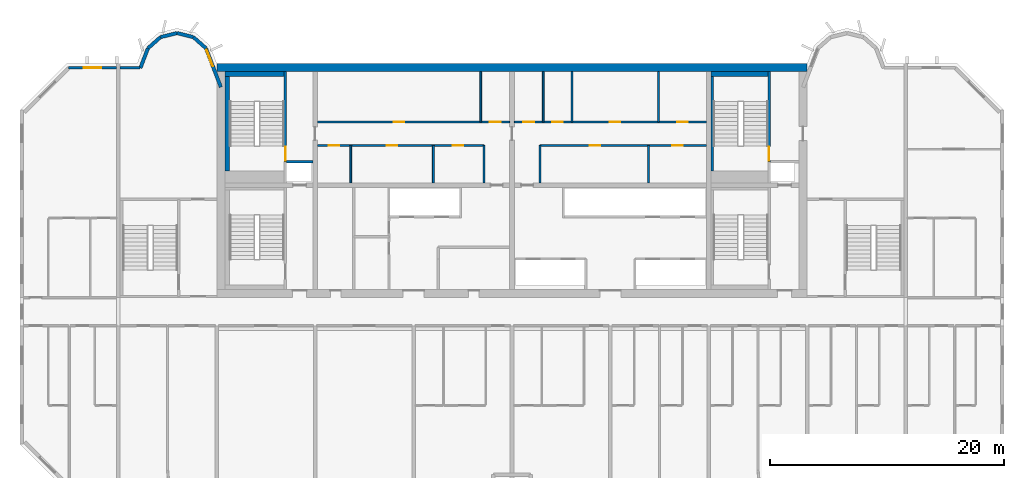
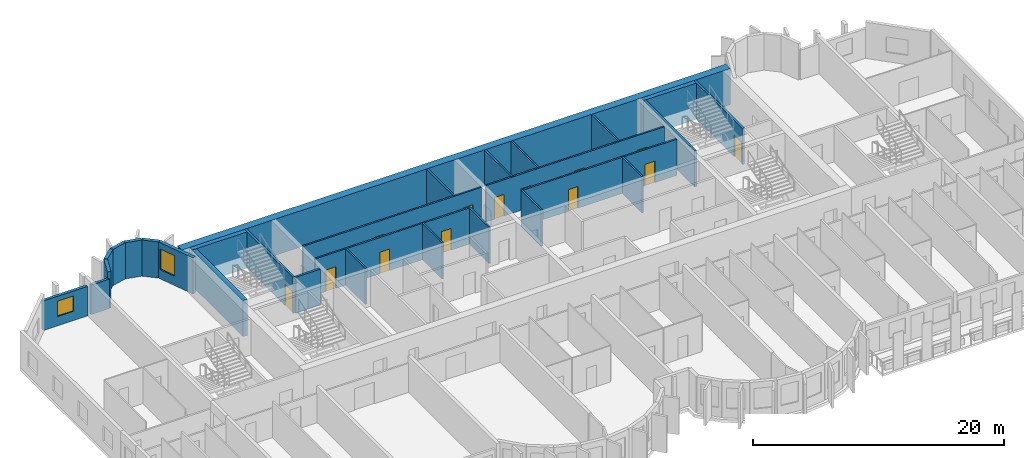
# One storey, part 7 of 13: 29 walls, 13 doors, 2 windows, 15 openings.
"""IFC4 building model written with IfcOpenShell, lengths in metres."""

import ifcopenshell
import ifcopenshell.guid

model = None  # the IFC model being written
_history = None  # IfcOwnerHistory: only IFC2X3 demands one
_inside = {}  # id of a spatial element -> (the spatial element, [elements in it])
_under = {}  # id of a project, library or spatial element -> (it, [spatial elements below it])
_declared = {}  # id of a project -> (the project, [libraries it declares])
_typed = {}  # id of a type object -> (the type object, [elements of that type])
_made_of = {}  # id of a material, layer set ... -> (it, [elements and type objects made of it])


def new_model(schema):
    """Start an empty IFC model of exactly this schema.

    Asked for "IFC4X3", IfcOpenShell would pick the latest addendum, in which some entities
    have other attributes; the version numbers below select the first issue.
    IFC2X3 requires an IfcOwnerHistory on every rooted entity: one is made here for all.
    """
    global model, _history
    if schema == "IFC4X3":
        model = ifcopenshell.file(schema_version=(4, 3, 0, 0))
    else:
        model = ifcopenshell.file(schema=schema)
    _inside.clear()
    _under.clear()
    _declared.clear()
    _typed.clear()
    _made_of.clear()
    _history = None
    if model.schema == "IFC2X3":
        org = make("IfcOrganization", Name="unknown")
        user = make(
            "IfcPersonAndOrganization",
            ThePerson=make("IfcPerson", FamilyName="unknown"),
            TheOrganization=org,
        )
        app = make(
            "IfcApplication",
            ApplicationDeveloper=org,
            Version="unknown",
            ApplicationFullName="unknown",
            ApplicationIdentifier="unknown",
        )
        _history = make(
            "IfcOwnerHistory",
            OwningUser=user,
            OwningApplication=app,
            ChangeAction="ADDED",
            CreationDate=0,
        )
    return model


def make(cls, **values):
    """One entity of the class cls with the attributes given. An attribute that is None is left unset."""
    return model.create_entity(
        cls, **{name: value for name, value in values.items() if value is not None}
    )


def rooted(cls, **values):
    """An entity with a GlobalId (a new one), such as an element, a storey or a relation."""
    return make(cls, GlobalId=ifcopenshell.guid.new(), OwnerHistory=_history, **values)


def si_unit(unit_type, name, prefix=None):
    """IfcSIUnit, for example si_unit("LENGTHUNIT", "METRE", prefix="MILLI")."""
    return make("IfcSIUnit", UnitType=unit_type, Prefix=prefix, Name=name)


def assignment(units):
    """IfcUnitAssignment: the units of a project."""
    return None if units is None else make("IfcUnitAssignment", Units=units)


def point(xyz):
    """IfcCartesianPoint."""
    return None if xyz is None else make("IfcCartesianPoint", Coordinates=xyz)


def direction(xyz):
    """IfcDirection."""
    return None if xyz is None else make("IfcDirection", DirectionRatios=xyz)


def frame(location, z_axis=None, x_axis=None):
    """IfcAxis2Placement3D, a coordinate frame: its origin and axes. An axis left out is left unset."""
    return make(
        "IfcAxis2Placement3D",
        Location=point(location),
        Axis=direction(z_axis),
        RefDirection=direction(x_axis),
    )


def frame_2d(location, x_axis=None):
    """IfcAxis2Placement2D, a coordinate frame in the plane: its origin and x axis."""
    return make(
        "IfcAxis2Placement2D", Location=point(location), RefDirection=direction(x_axis)
    )


def origin():
    """The frame at (0, 0, 0) with its axes left unset."""
    return frame((0.0, 0.0, 0.0))


def place(relative_to, where):
    """IfcLocalPlacement: puts the frame where relative to a parent placement (None: the world)."""
    return make(
        "IfcLocalPlacement", PlacementRelTo=relative_to, RelativePlacement=where
    )


def context(
    kind, dimensions, precision=None, world=None, true_north=None, identifier=None
):
    """IfcGeometricRepresentationContext, for example the 3D "Model" context."""
    return make(
        "IfcGeometricRepresentationContext",
        ContextIdentifier=identifier,
        ContextType=kind,
        CoordinateSpaceDimension=dimensions,
        Precision=precision,
        WorldCoordinateSystem=world,
        TrueNorth=true_north,
    )


def subcontext(parent, identifier, kind, view, scale=None):
    """IfcGeometricRepresentationSubContext, for example "Body" below "Model"."""
    return make(
        "IfcGeometricRepresentationSubContext",
        ContextIdentifier=identifier,
        ContextType=kind,
        ParentContext=parent,
        TargetScale=scale,
        TargetView=view,
    )


def project(units=None, contexts=None):
    """IfcProject with its units and contexts."""
    return rooted(
        "IfcProject",
        Name="project",
        RepresentationContexts=contexts,
        UnitsInContext=assignment(units),
    )


def spatial(cls, under=None, at=None, **own):
    """A site, building, storey or space (cls), placed at a placement, below another one or the project."""
    s = rooted(cls, ObjectPlacement=at, **own)
    if under is not None:
        _under.setdefault(under.id(), (under, []))[1].append(s)
    return s


def profile(cls, at=None, kind="AREA", **sizes):
    """A parametric profile (cls). Its sizes go by their IFC names, for example OverallWidth=200.0."""
    return make(cls, ProfileType=kind, Position=at, **sizes)


def rectangle(**sizes):
    """IfcRectangleProfileDef."""
    return profile("IfcRectangleProfileDef", **sizes)


def extrude(swept, where, along, depth):
    """IfcExtrudedAreaSolid: the profile swept, set in the frame where, extruded along a direction by depth."""
    return make(
        "IfcExtrudedAreaSolid",
        SweptArea=swept,
        Position=where,
        ExtrudedDirection=direction(along),
        Depth=depth,
    )


def shape(context_of_items, identifier, shape_type, items):
    """IfcShapeRepresentation: the items that make up one representation, for example the "Body"."""
    return make(
        "IfcShapeRepresentation",
        ContextOfItems=context_of_items,
        RepresentationIdentifier=identifier,
        RepresentationType=shape_type,
        Items=items,
    )


def source(mapping_origin, context_of_items, identifier, shape_type, items):
    """IfcRepresentationMap: a shape defined once, which mapped items show again and again."""
    return make(
        "IfcRepresentationMap",
        MappingOrigin=mapping_origin,
        MappedRepresentation=shape(context_of_items, identifier, shape_type, items),
    )


def transform(
    local_origin,
    x_axis=None,
    y_axis=None,
    z_axis=None,
    scale=None,
    scale2=None,
    scale3=None,
    uniform=True,
):
    """IfcCartesianTransformationOperator3D, or its non-uniform kind. x_axis, y_axis, z_axis: its Axis1, 2, 3."""
    if uniform:
        return make(
            "IfcCartesianTransformationOperator3D",
            Axis1=direction(x_axis),
            Axis2=direction(y_axis),
            LocalOrigin=point(local_origin),
            Scale=scale,
            Axis3=direction(z_axis),
        )
    return make(
        "IfcCartesianTransformationOperator3DnonUniform",
        Axis1=direction(x_axis),
        Axis2=direction(y_axis),
        LocalOrigin=point(local_origin),
        Scale=scale,
        Axis3=direction(z_axis),
        Scale2=scale2,
        Scale3=scale3,
    )


def mapped(mapping_source, mapping_target):
    """IfcMappedItem: shows the shape of a source again, moved by a transform."""
    return make(
        "IfcMappedItem", MappingSource=mapping_source, MappingTarget=mapping_target
    )


def material(Name=None, Category=None):
    """IfcMaterial."""
    return make("IfcMaterial", Name=Name, Category=Category)


def layer(
    of_material, thickness, ventilated=None, Name=None, Category=None, Priority=None
):
    """IfcMaterialLayer: one layer of a wall or slab, of a material (None: an air gap)."""
    return make(
        "IfcMaterialLayer",
        Material=of_material,
        LayerThickness=thickness,
        IsVentilated=ventilated,
        Name=Name,
        Category=Category,
        Priority=Priority,
    )


def layer_set(layers, Name=None):
    """IfcMaterialLayerSet."""
    return make("IfcMaterialLayerSet", MaterialLayers=layers, LayerSetName=Name)


def made_of(thing, what):
    """Note that an element or type object is made of a material, layer set ...; save() writes the relation."""
    if what is not None:
        _made_of.setdefault(what.id(), (what, []))[1].append(thing)
    return thing


def type_object(cls, material=None, **own):
    """A type object (cls), such as IfcWallType, which elements share."""
    return made_of(rooted(cls, **own), material)


def element(
    cls,
    number,
    at=None,
    inside=None,
    cuts=None,
    type_object=None,
    material=None,
    context=None,
    identifier="Body",
    shape_type=None,
    held_by="IfcProductDefinitionShape",
    body=None,
    shapes=None,
    **own,
):
    """One element of the class cls, such as IfcWall. Its Tag is "e" and its number.

    at: its placement. inside: the storey or other place that contains it. cuts: it is an
    opening in that element (IfcRelVoidsElement). A single representation is given by context,
    identifier, shape_type and body (its items); several are given by shapes. held_by: the class
    of the entity that holds the representations. save() writes the other relations.
    """
    e = rooted(cls, Tag="e%d" % number, ObjectPlacement=at, **own)
    if body is not None:
        shapes = [shape(context, identifier, shape_type, body)]
    if shapes is not None:
        e.Representation = make(held_by, Representations=shapes)
    if inside is not None:
        _inside.setdefault(inside.id(), (inside, []))[1].append(e)
    if cuts is not None:
        rooted(
            "IfcRelVoidsElement", RelatingBuildingElement=cuts, RelatedOpeningElement=e
        )
    if type_object is not None:
        _typed.setdefault(type_object.id(), (type_object, []))[1].append(e)
    return made_of(e, material)


def fill(opening, filler):
    """IfcRelFillsElement: the door or window that sits in an opening."""
    return rooted(
        "IfcRelFillsElement",
        RelatingOpeningElement=opening,
        RelatedBuildingElement=filler,
    )


def aggregate(whole, parts):
    """IfcRelAggregates: a whole, such as a stair, and the parts it consists of."""
    return rooted("IfcRelAggregates", RelatingObject=whole, RelatedObjects=parts)


def save(model, path):
    """Write the relations noted so far, then the file.

    IfcRelAggregates (storeys below a building ...), IfcRelContainedInSpatialStructure (elements
    in a storey), IfcRelDefinesByType, IfcRelAssociatesMaterial and IfcRelDeclares: one each for
    every whole, place, type object, material and project.
    """
    for whole, parts in _under.values():
        aggregate(whole, parts)
    for where, things in _inside.values():
        rooted(
            "IfcRelContainedInSpatialStructure",
            RelatedElements=things,
            RelatingStructure=where,
        )
    for kind, things in _typed.values():
        rooted("IfcRelDefinesByType", RelatedObjects=things, RelatingType=kind)
    for what, things in _made_of.values():
        rooted("IfcRelAssociatesMaterial", RelatedObjects=things, RelatingMaterial=what)
    for by, libraries in _declared.values():
        rooted("IfcRelDeclares", RelatingContext=by, RelatedDefinitions=libraries)
    model.write(path)


model = new_model("IFC4")

# Units and contexts
model_context = context("Model", 3, precision=1e-05, world=origin(), true_north=direction((0.0, 1.0)))
body_context = subcontext(model_context, "Body", "Model", "MODEL_VIEW")
ifc_project = project(units=[si_unit("LENGTHUNIT", "METRE"), si_unit("AREAUNIT", "SQUARE_METRE"), si_unit("VOLUMEUNIT", "CUBIC_METRE"), si_unit("PLANEANGLEUNIT", "RADIAN"), si_unit("MASSUNIT", "GRAM", prefix="KILO")], contexts=[model_context])

# Site, building, storey
site_placement = place(None, origin())
site = spatial("IfcSite", under=ifc_project, at=site_placement, CompositionType="ELEMENT")
building_placement = place(site_placement, origin())
building = spatial("IfcBuilding", under=site, at=building_placement, Name="Vanashikhar Sky Hotel", CompositionType="ELEMENT")
storey_placement = place(building_placement, frame((0.0, 0.0, 193.39990234375)))
storey = spatial("IfcBuildingStorey", under=building, at=storey_placement, Name="L47", CompositionType="ELEMENT", Elevation=193.39990234375)

# Wall
ifc_material_1 = material(Name="Concrete M60", Category="concrete")
ifc_layer_1 = layer(ifc_material_1, 0.699951171875)
ifc_layer_set_1 = layer_set([ifc_layer_1], Name="RC core shell wall 700 Concrete M60")
wall_type_1 = type_object("IfcWallType", Name="RC core shell wall 700 Concrete M60", PredefinedType="SHEAR", material=ifc_layer_set_1)
shared_shape_1 = source(origin(), body_context, "Body", "SweptSolid", [
    extrude(rectangle(XDim=50.400146484375, YDim=0.699951171875, at=frame_2d((25.2001953125, 0.0))), origin(), (0.0, 0.0, 1.0), 3.52001953125),
])
wall_1_placement = place(storey_placement, frame((25.199951171875, 41.64990234375, 0.0), z_axis=(0.0, 0.0, 1.0), x_axis=(1.0, 0.0, 0.0)))
element("IfcWall", 1, at=wall_1_placement, inside=storey, type_object=wall_type_1, Name="KW-L47-KN", PredefinedType="SHEAR", context=body_context, shape_type="MappedRepresentation", body=[
    mapped(shared_shape_1, transform((0.0, 0.0, 0.0), scale=1.0)),
])

# Wall, opening, window
ifc_material_2 = material(Name="Concrete M50", Category="concrete")
ifc_layer_2 = layer(ifc_material_2, 0.300048828125)
ifc_layer_set_2 = layer_set([ifc_layer_2], Name="Lobe wall 300")
wall_type_2 = type_object("IfcWallType", Name="Lobe wall 300", PredefinedType="SOLIDWALL", material=ifc_layer_set_2)
shared_shape_2 = source(origin(), body_context, "Body", "SweptSolid", [
    extrude(rectangle(XDim=3.55908203125, YDim=0.300048828125, at=frame_2d((1.779541015625, 0.0))), origin(), (0.0, 0.0, 1.0), 3.52001953125),
])
wall_2_placement = place(storey_placement, frame((25.550048828125, 39.968505859375, 0.0), z_axis=(0.0, 0.0, 1.0), x_axis=(-0.35779745313, 0.933799219604, 0.0)))
wall_2 = element("IfcWall", 2, at=wall_2_placement, inside=storey, type_object=wall_type_2, Name="Lobe wall", PredefinedType="SOLIDWALL", context=body_context, shape_type="MappedRepresentation", body=[
    mapped(shared_shape_2, transform((0.0, 0.0, 0.0), scale=1.0)),
])
shared_shape_3 = source(origin(), body_context, "Body", "SweptSolid", [
    extrude(rectangle(XDim=1.5, YDim=2.0, at=frame_2d((0.75, 1.0))), frame((0.0, 0.16015625, 0.0), z_axis=(0.0, -1.0, 0.0), x_axis=(1.0, 0.0, 0.0)), (0.0, 0.0, 1.0), 0.320068359375),
])
opening_1_placement = place(wall_2_placement, frame((1.9033203125, 0.0, 0.89990234375)))
opening_1 = element("IfcOpeningElement", 3, at=opening_1_placement, cuts=wall_2, Name="Opening WN-2", PredefinedType="OPENING", context=body_context, shape_type="MappedRepresentation", body=[
    mapped(shared_shape_3, transform((0.0, 0.0, 0.0), scale=1.0)),
])
ifc_material_3 = material(Name="Glass", Category="glass")
window_type_1 = type_object("IfcWindowType", Name="Lobe window 1500 x 2000", PartitioningType="SINGLE_PANEL", PredefinedType="WINDOW", material=ifc_material_3)
shared_shape_4 = source(origin(), body_context, "Body", "SweptSolid", [
    extrude(rectangle(XDim=1.5, YDim=2.0, at=frame_2d((0.75, 1.0))), frame((0.0, 0.030029296875, 0.0), z_axis=(0.0, -1.0, 0.0), x_axis=(1.0, 0.0, 0.0)), (0.0, 0.0, 1.0), 0.06005859375),
])
window_1_placement = place(opening_1_placement, origin())
window_1 = element("IfcWindow", 4, at=window_1_placement, inside=storey, type_object=window_type_1, Name="Window WN-2", OverallHeight=2.0, OverallWidth=1.5, PartitioningType="SINGLE_PANEL", PredefinedType="WINDOW", context=body_context, shape_type="MappedRepresentation", body=[
    mapped(shared_shape_4, transform((0.0, 0.0, 0.0), scale=1.0)),
])
fill(opening_1, window_1)

# Walls
shared_shape_5 = source(origin(), body_context, "Body", "SweptSolid", [
    extrude(rectangle(XDim=1.440185546875, YDim=0.300048828125, at=frame_2d((0.72021484375, 0.0))), origin(), (0.0, 0.0, 1.0), 3.52001953125),
])
wall_3_placement = place(storey_placement, frame((24.276611328125, 43.2919921875, 0.0), z_axis=(0.0, 0.0, 1.0), x_axis=(-0.749649827867, 0.661834673902, 0.0)))
element("IfcWall", 5, at=wall_3_placement, inside=storey, type_object=wall_type_2, Name="Lobe wall", PredefinedType="SOLIDWALL", context=body_context, shape_type="MappedRepresentation", body=[
    mapped(shared_shape_5, transform((0.0, 0.0, 0.0), scale=1.0)),
])
shared_shape_6 = source(origin(), body_context, "Body", "SweptSolid", [
    extrude(rectangle(XDim=1.4384765625, YDim=0.300048828125, at=frame_2d((0.71923828125, 0.0))), origin(), (0.0, 0.0, 1.0), 3.52001953125),
])
wall_4_placement = place(storey_placement, frame((23.197021484375, 44.2451171875, 0.0), z_axis=(0.0, 0.0, 1.0), x_axis=(-0.971152283879, 0.238460146601, 0.0)))
element("IfcWall", 6, at=wall_4_placement, inside=storey, type_object=wall_type_2, Name="Lobe wall", PredefinedType="SOLIDWALL", context=body_context, shape_type="MappedRepresentation", body=[
    mapped(shared_shape_6, transform((0.0, 0.0, 0.0), scale=1.0)),
])
shared_shape_7 = source(origin(), body_context, "Body", "SweptSolid", [
    extrude(rectangle(XDim=1.438720703125, YDim=0.300048828125, at=frame_2d((0.71923828125, 0.0))), origin(), (0.0, 0.0, 1.0), 3.52001953125),
])
wall_5_placement = place(storey_placement, frame((21.800048828125, 44.588134765625, 0.0), z_axis=(0.0, 0.0, 1.0), x_axis=(-0.971161932466, -0.238420848351, 0.0)))
element("IfcWall", 7, at=wall_5_placement, inside=storey, type_object=wall_type_2, Name="Lobe wall", PredefinedType="SOLIDWALL", context=body_context, shape_type="MappedRepresentation", body=[
    mapped(shared_shape_7, transform((0.0, 0.0, 0.0), scale=1.0)),
])
shared_shape_8 = source(origin(), body_context, "Body", "SweptSolid", [
    extrude(rectangle(XDim=1.43994140625, YDim=0.300048828125, at=frame_2d((0.719970703125, 0.0))), origin(), (0.0, 0.0, 1.0), 3.52001953125),
])
wall_6_placement = place(storey_placement, frame((20.40283203125, 44.2451171875, 0.0), z_axis=(0.0, 0.0, 1.0), x_axis=(-0.74957555648, -0.661918790432, 0.0)))
element("IfcWall", 8, at=wall_6_placement, inside=storey, type_object=wall_type_2, Name="Lobe wall", PredefinedType="SOLIDWALL", context=body_context, shape_type="MappedRepresentation", body=[
    mapped(shared_shape_8, transform((0.0, 0.0, 0.0), scale=1.0)),
])
shared_shape_9 = source(origin(), body_context, "Body", "SweptSolid", [
    extrude(rectangle(XDim=1.81201171875, YDim=0.300048828125, at=frame_2d((0.906005859375, 0.0))), origin(), (0.0, 0.0, 1.0), 3.52001953125),
])
wall_7_placement = place(storey_placement, frame((19.323486328125, 43.2919921875, 0.0), z_axis=(0.0, 0.0, 1.0), x_axis=(-0.357877270961, -0.93376863244, 0.0)))
element("IfcWall", 9, at=wall_7_placement, inside=storey, type_object=wall_type_2, Name="Lobe wall", PredefinedType="SOLIDWALL", context=body_context, shape_type="MappedRepresentation", body=[
    mapped(shared_shape_9, transform((0.0, 0.0, 0.0), scale=1.0)),
])

# Wall, opening, window
ifc_layer_3 = layer(ifc_material_2, 0.25)
ifc_layer_set_3 = layer_set([ifc_layer_3], Name="Rear and end board-marked wall 250")
wall_type_3 = type_object("IfcWallType", Name="Rear and end board-marked wall 250", PredefinedType="SOLIDWALL", material=ifc_layer_set_3)
shared_shape_10 = source(origin(), body_context, "Body", "SweptSolid", [
    extrude(rectangle(XDim=4.094482421875, YDim=0.25, at=frame_2d((2.04736328125, 0.0))), origin(), (0.0, 0.0, 1.0), 2.8701171875),
])
wall_8_placement = place(storey_placement, frame((16.64990234375, 41.625, 0.0), z_axis=(0.0, 0.0, 1.0), x_axis=(-1.0, 0.0, 0.0)))
wall_8 = element("IfcWall", 10, at=wall_8_placement, inside=storey, type_object=wall_type_3, Name="Rear board-marked wall", PredefinedType="SOLIDWALL", context=body_context, shape_type="MappedRepresentation", body=[
    mapped(shared_shape_10, transform((0.0, 0.0, 0.0), scale=1.0)),
])
shared_shape_11 = source(origin(), body_context, "Body", "SweptSolid", [
    extrude(rectangle(XDim=1.5, YDim=1.5, at=frame_2d((0.75, 0.75))), frame((0.0, 0.135009765625, 0.0), z_axis=(0.0, -1.0, 0.0), x_axis=(1.0, 0.0, 0.0)), (0.0, 0.0, 1.0), 0.27001953125),
])
opening_2_placement = place(wall_8_placement, frame((1.29736328125, 0.0, 0.89990234375)))
opening_2 = element("IfcOpeningElement", 11, at=opening_2_placement, cuts=wall_8, Name="Opening WN-1", PredefinedType="OPENING", context=body_context, shape_type="MappedRepresentation", body=[
    mapped(shared_shape_11, transform((0.0, 0.0, 0.0), scale=1.0)),
])
window_type_2 = type_object("IfcWindowType", Name="Window 1500 x 1500", PartitioningType="SINGLE_PANEL", PredefinedType="WINDOW", material=ifc_material_3)
shared_shape_12 = source(origin(), body_context, "Body", "SweptSolid", [
    extrude(rectangle(XDim=1.5, YDim=1.5, at=frame_2d((0.75, 0.75))), frame((0.0, 0.030029296875, 0.0), z_axis=(0.0, -1.0, 0.0), x_axis=(1.0, 0.0, 0.0)), (0.0, 0.0, 1.0), 0.06005859375),
])
window_2_placement = place(opening_2_placement, origin())
window_2 = element("IfcWindow", 12, at=window_2_placement, inside=storey, type_object=window_type_2, Name="Window WN-1", OverallHeight=1.5, OverallWidth=1.5, PartitioningType="SINGLE_PANEL", PredefinedType="WINDOW", context=body_context, shape_type="MappedRepresentation", body=[
    mapped(shared_shape_12, transform((0.0, 0.0, 0.0), scale=1.0)),
])
fill(opening_2, window_2)

# Walls
shared_shape_13 = source(origin(), body_context, "Body", "SweptSolid", [
    extrude(rectangle(XDim=1.7080078125, YDim=0.25, at=frame_2d((0.85400390625, 0.0))), origin(), (0.0, 0.0, 1.0), 2.8701171875),
])
wall_9_placement = place(storey_placement, frame((18.657958984375, 41.625, 0.0), z_axis=(0.0, 0.0, 1.0), x_axis=(-1.0, 0.0, 0.0)))
element("IfcWall", 13, at=wall_9_placement, inside=storey, type_object=wall_type_3, Name="Rear board-marked wall", PredefinedType="SOLIDWALL", context=body_context, shape_type="MappedRepresentation", body=[
    mapped(shared_shape_13, transform((0.0, 0.0, 0.0), scale=1.0)),
])
ifc_material_4 = material(Name="Concrete M40", Category="concrete")
ifc_layer_4 = layer(ifc_material_4, 0.199951171875)
ifc_layer_set_4 = layer_set([ifc_layer_4], Name="Shaft wall 200")
wall_type_4 = type_object("IfcWallType", Name="Shaft wall 200", PredefinedType="SOLIDWALL", material=ifc_layer_set_4)
shared_shape_14 = source(origin(), body_context, "Body", "SweptSolid", [
    extrude(rectangle(XDim=2.25, YDim=0.199951171875, at=frame_2d((1.125, 0.0))), origin(), (0.0, 0.0, 1.0), 3.52001953125),
])
wall_10_placement = place(storey_placement, frame((31.14990234375, 33.60009765625, 0.0), z_axis=(0.0, 0.0, 1.0), x_axis=(1.0, 0.0, 0.0)))
element("IfcWall", 14, at=wall_10_placement, inside=storey, type_object=wall_type_4, Name="Shaft wall 200", PredefinedType="SOLIDWALL", context=body_context, shape_type="MappedRepresentation", body=[
    mapped(shared_shape_14, transform((0.0, 0.0, 0.0), scale=1.0)),
])
ifc_layer_5 = layer(ifc_material_2, 0.199951171875)
ifc_layer_set_5 = layer_set([ifc_layer_5], Name="Stair infill wall 200")
wall_type_5 = type_object("IfcWallType", Name="Stair infill wall 200", PredefinedType="SOLIDWALL", material=ifc_layer_set_5)
shared_shape_15 = source(origin(), body_context, "Body", "SweptSolid", [
    extrude(rectangle(XDim=8.099853515625, YDim=0.199951171875, at=frame_2d((4.0498046875, 0.0))), origin(), (0.0, 0.0, 1.0), 3.52001953125),
])
wall_11_placement = place(storey_placement, frame((67.5, 32.800048828125, 0.0), z_axis=(0.0, 0.0, 1.0), x_axis=(0.0, 1.0, 0.0)))
element("IfcWall", 15, at=wall_11_placement, inside=storey, type_object=wall_type_5, Name="Stair infill wall 200", PredefinedType="SOLIDWALL", context=body_context, shape_type="MappedRepresentation", body=[
    mapped(shared_shape_15, transform((0.0, 0.0, 0.0), scale=1.0)),
])
ifc_material_5 = material(Name="Gypsum board partition")
ifc_layer_6 = layer(ifc_material_5, 0.14990234375)
ifc_layer_set_6 = layer_set([ifc_layer_6], Name="Service partition 150")
wall_type_6 = type_object("IfcWallType", Name="Service partition 150", PredefinedType="PARTITIONING", material=ifc_layer_set_6)
shared_shape_16 = source(origin(), body_context, "Body", "SweptSolid", [
    extrude(rectangle(XDim=3.199951171875, YDim=0.14990234375, at=frame_2d((1.60009765625, 0.0))), origin(), (0.0, 0.0, 1.0), 3.52001953125),
])
for number, where, z_axis, x_axis, name in (
    (16, (48.0, 31.800048828125, 0.0), (0.0, 0.0, 1.0), (0.0, 1.0, 0.0), "Service partition 150"),
    (17, (36.625, 31.800048828125, 0.0), (0.0, 0.0, 1.0), (0.0, 1.0, 0.0), "Service partition 150"),
    (18, (43.68798828125, 31.800048828125, 0.0), (0.0, 0.0, 1.0), (0.0, 1.0, 0.0), "Service partition 150"),
    (19, (52.800048828125, 31.800048828125, 0.0), (0.0, 0.0, 1.0), (0.0, 1.0, 0.0), "Service partition 150"),
    (20, (62.055908203125, 31.800048828125, 0.0), (0.0, 0.0, 1.0), (0.0, 1.0, 0.0), "Service partition 150"),
):
    element("IfcWall", number, at=place(storey_placement, frame(where, z_axis=z_axis, x_axis=x_axis)), inside=storey, type_object=wall_type_6, Name=name, PredefinedType="PARTITIONING", context=body_context, shape_type="MappedRepresentation", body=[
        mapped(shared_shape_16, transform((0.0, 0.0, 0.0), scale=1.0)),
    ])

# Wall, openings, doors
shared_shape_17 = source(origin(), body_context, "Body", "SweptSolid", [
    extrude(rectangle(XDim=14.199951171875, YDim=0.14990234375, at=frame_2d((7.10009765625, 0.0))), origin(), (0.0, 0.0, 1.0), 3.52001953125),
])
wall_12_placement = place(storey_placement, frame((33.800048828125, 35.0, 0.0), z_axis=(0.0, 0.0, 1.0), x_axis=(1.0, 0.0, 0.0)))
wall_12 = element("IfcWall", 21, at=wall_12_placement, inside=storey, type_object=wall_type_6, Name="Service partition 150", PredefinedType="PARTITIONING", context=body_context, shape_type="MappedRepresentation", body=[
    mapped(shared_shape_17, transform((0.0, 0.0, 0.0), scale=1.0)),
])
shared_shape_18 = source(origin(), body_context, "Body", "SweptSolid", [
    extrude(rectangle(XDim=0.89990234375, YDim=2.10009765625, at=frame_2d((0.449951171875, 1.050048828125))), frame((0.0, 0.0849609375, 0.0), z_axis=(0.0, -1.0, 0.0), x_axis=(1.0, 0.0, 0.0)), (0.0, 0.0, 1.0), 0.169921875),
])
opening_3_placement = place(wall_12_placement, frame((0.9619140625, 0.0, 0.0)))
opening_3 = element("IfcOpeningElement", 22, at=opening_3_placement, cuts=wall_12, Name="Opening DC-4-A", PredefinedType="OPENING", context=body_context, shape_type="MappedRepresentation", body=[
    mapped(shared_shape_18, transform((0.0, 0.0, 0.0), scale=1.0)),
])
opening_4_placement = place(wall_12_placement, frame((5.906005859375, 0.0, 0.0)))
opening_4 = element("IfcOpeningElement", 23, at=opening_4_placement, cuts=wall_12, Name="Opening DC-4-A", PredefinedType="OPENING", context=body_context, shape_type="MappedRepresentation", body=[
    mapped(shared_shape_18, transform((0.0, 0.0, 0.0), scale=1.0)),
])
opening_5_placement = place(wall_12_placement, frame((11.555908203125, 0.0, 0.0)))
opening_5 = element("IfcOpeningElement", 24, at=opening_5_placement, cuts=wall_12, Name="Opening DC-4-A", PredefinedType="OPENING", context=body_context, shape_type="MappedRepresentation", body=[
    mapped(shared_shape_18, transform((0.0, 0.0, 0.0), scale=1.0)),
])
ifc_material_6 = material(Name="Steel", Category="steel")
door_type_1 = type_object("IfcDoorType", Name="Service door 900 FD60", OperationType="NOTDEFINED", PredefinedType="DOOR", material=ifc_material_6)
shared_shape_19 = source(origin(), body_context, "Body", "SweptSolid", [
    extrude(rectangle(XDim=0.89990234375, YDim=2.10009765625, at=frame_2d((0.449951171875, 1.050048828125))), frame((0.0, 0.02490234375, 0.0), z_axis=(0.0, -1.0, 0.0), x_axis=(1.0, 0.0, 0.0)), (0.0, 0.0, 1.0), 0.050048828125),
])
door_1_placement = place(opening_3_placement, origin())
door_1 = element("IfcDoor", 25, at=door_1_placement, inside=storey, type_object=door_type_1, Name="Service door 900 FD60", OperationType="SINGLE_SWING_LEFT", OverallHeight=2.10009765625, OverallWidth=0.89990234375, PredefinedType="DOOR", context=body_context, shape_type="MappedRepresentation", body=[
    mapped(shared_shape_19, transform((0.0, 0.0, 0.0), scale=1.0)),
])
fill(opening_3, door_1)
door_2_placement = place(opening_4_placement, origin())
door_2 = element("IfcDoor", 26, at=door_2_placement, inside=storey, type_object=door_type_1, Name="Service door 900 FD60", OperationType="SINGLE_SWING_RIGHT", OverallHeight=2.10009765625, OverallWidth=0.89990234375, PredefinedType="DOOR", context=body_context, shape_type="MappedRepresentation", body=[
    mapped(shared_shape_19, transform((0.0, 0.0, 0.0), scale=1.0)),
])
fill(opening_4, door_2)
door_3_placement = place(opening_5_placement, origin())
door_3 = element("IfcDoor", 27, at=door_3_placement, inside=storey, type_object=door_type_1, Name="Service door 900 FD60", OperationType="SINGLE_SWING_LEFT", OverallHeight=2.10009765625, OverallWidth=0.89990234375, PredefinedType="DOOR", context=body_context, shape_type="MappedRepresentation", body=[
    mapped(shared_shape_19, transform((0.0, 0.0, 0.0), scale=1.0)),
])
fill(opening_5, door_3)

wall_13_placement = place(storey_placement, frame((67.0, 35.0, 0.0), z_axis=(0.0, 0.0, 1.0), x_axis=(-1.0, 0.0, 0.0)))
wall_13 = element("IfcWall", 28, at=wall_13_placement, inside=storey, type_object=wall_type_6, Name="Service partition 150", PredefinedType="PARTITIONING", context=body_context, shape_type="MappedRepresentation", body=[
    mapped(shared_shape_17, transform((0.0, 0.0, 0.0), scale=1.0)),
])
opening_6_placement = place(wall_13_placement, frame((2.02197265625, 0.0, 0.0)))
opening_6 = element("IfcOpeningElement", 29, at=opening_6_placement, cuts=wall_13, Name="Opening DC-4-A", PredefinedType="OPENING", context=body_context, shape_type="MappedRepresentation", body=[
    mapped(shared_shape_18, transform((0.0, 0.0, 0.0), scale=1.0)),
])
opening_7_placement = place(wall_13_placement, frame((9.083984375, 0.0, 0.0)))
opening_7 = element("IfcOpeningElement", 30, at=opening_7_placement, cuts=wall_13, Name="Opening DC-4-A", PredefinedType="OPENING", context=body_context, shape_type="MappedRepresentation", body=[
    mapped(shared_shape_18, transform((0.0, 0.0, 0.0), scale=1.0)),
])
door_4_placement = place(opening_6_placement, origin())
door_4 = element("IfcDoor", 31, at=door_4_placement, inside=storey, type_object=door_type_1, Name="Service door 900 FD60", OperationType="SINGLE_SWING_LEFT", OverallHeight=2.10009765625, OverallWidth=0.89990234375, PredefinedType="DOOR", context=body_context, shape_type="MappedRepresentation", body=[
    mapped(shared_shape_19, transform((0.0, 0.0, 0.0), scale=1.0)),
])
fill(opening_6, door_4)
door_5_placement = place(opening_7_placement, origin())
door_5 = element("IfcDoor", 32, at=door_5_placement, inside=storey, type_object=door_type_1, Name="Service door 900 FD60", OperationType="SINGLE_SWING_RIGHT", OverallHeight=2.10009765625, OverallWidth=0.89990234375, PredefinedType="DOOR", context=body_context, shape_type="MappedRepresentation", body=[
    mapped(shared_shape_19, transform((0.0, 0.0, 0.0), scale=1.0)),
])
fill(opening_7, door_5)

shared_shape_20 = source(origin(), body_context, "Body", "SweptSolid", [
    extrude(rectangle(XDim=16.39990234375, YDim=0.14990234375, at=frame_2d((8.199951171875, 0.0))), origin(), (0.0, 0.0, 1.0), 3.52001953125),
])
wall_14_placement = place(storey_placement, frame((33.800048828125, 37.0, 0.0), z_axis=(0.0, 0.0, 1.0), x_axis=(1.0, 0.0, 0.0)))
wall_14 = element("IfcWall", 33, at=wall_14_placement, inside=storey, type_object=wall_type_6, Name="Service partition 150", PredefinedType="PARTITIONING", context=body_context, shape_type="MappedRepresentation", body=[
    mapped(shared_shape_20, transform((0.0, 0.0, 0.0), scale=1.0)),
])
opening_8_placement = place(wall_14_placement, frame((6.52001953125, 0.0, 0.0)))
opening_8 = element("IfcOpeningElement", 34, at=opening_8_placement, cuts=wall_14, Name="Opening DC-4-A", PredefinedType="OPENING", context=body_context, shape_type="MappedRepresentation", body=[
    mapped(shared_shape_18, transform((0.0, 0.0, 0.0), scale=1.0)),
])
opening_9_placement = place(wall_14_placement, frame((14.719970703125, 0.0, 0.0)))
opening_9 = element("IfcOpeningElement", 35, at=opening_9_placement, cuts=wall_14, Name="Opening DC-4-A", PredefinedType="OPENING", context=body_context, shape_type="MappedRepresentation", body=[
    mapped(shared_shape_18, transform((0.0, 0.0, 0.0), scale=1.0)),
])
door_6_placement = place(opening_8_placement, origin())
door_6 = element("IfcDoor", 36, at=door_6_placement, inside=storey, type_object=door_type_1, Name="Service door 900 FD60", OperationType="SINGLE_SWING_RIGHT", OverallHeight=2.10009765625, OverallWidth=0.89990234375, PredefinedType="DOOR", context=body_context, shape_type="MappedRepresentation", body=[
    mapped(shared_shape_19, transform((0.0, 0.0, 0.0), scale=1.0)),
])
fill(opening_8, door_6)
door_7_placement = place(opening_9_placement, origin())
door_7 = element("IfcDoor", 37, at=door_7_placement, inside=storey, type_object=door_type_1, Name="Service door 900 FD60", OperationType="SINGLE_SWING_LEFT", OverallHeight=2.10009765625, OverallWidth=0.89990234375, PredefinedType="DOOR", context=body_context, shape_type="MappedRepresentation", body=[
    mapped(shared_shape_19, transform((0.0, 0.0, 0.0), scale=1.0)),
])
fill(opening_9, door_7)

wall_15_placement = place(storey_placement, frame((67.0, 37.0, 0.0), z_axis=(0.0, 0.0, 1.0), x_axis=(-1.0, 0.0, 0.0)))
wall_15 = element("IfcWall", 38, at=wall_15_placement, inside=storey, type_object=wall_type_6, Name="Service partition 150", PredefinedType="PARTITIONING", context=body_context, shape_type="MappedRepresentation", body=[
    mapped(shared_shape_20, transform((0.0, 0.0, 0.0), scale=1.0)),
])
opening_10_placement = place(wall_15_placement, frame((1.60009765625, 0.0, 0.0)))
opening_10 = element("IfcOpeningElement", 39, at=opening_10_placement, cuts=wall_15, Name="Opening DC-4-A", PredefinedType="OPENING", context=body_context, shape_type="MappedRepresentation", body=[
    mapped(shared_shape_18, transform((0.0, 0.0, 0.0), scale=1.0)),
])
opening_11_placement = place(wall_15_placement, frame((7.340087890625, 0.0, 0.0)))
opening_11 = element("IfcOpeningElement", 40, at=opening_11_placement, cuts=wall_15, Name="Opening DC-4-A", PredefinedType="OPENING", context=body_context, shape_type="MappedRepresentation", body=[
    mapped(shared_shape_18, transform((0.0, 0.0, 0.0), scale=1.0)),
])
opening_12_placement = place(wall_15_placement, frame((12.260009765625, 0.0, 0.0)))
opening_12 = element("IfcOpeningElement", 41, at=opening_12_placement, cuts=wall_15, Name="Opening DC-4-A", PredefinedType="OPENING", context=body_context, shape_type="MappedRepresentation", body=[
    mapped(shared_shape_18, transform((0.0, 0.0, 0.0), scale=1.0)),
])
opening_13_placement = place(wall_15_placement, frame((14.719970703125, 0.0, 0.0)))
opening_13 = element("IfcOpeningElement", 42, at=opening_13_placement, cuts=wall_15, Name="Opening DC-4-A", PredefinedType="OPENING", context=body_context, shape_type="MappedRepresentation", body=[
    mapped(shared_shape_18, transform((0.0, 0.0, 0.0), scale=1.0)),
])
door_8_placement = place(opening_10_placement, origin())
door_8 = element("IfcDoor", 43, at=door_8_placement, inside=storey, type_object=door_type_1, Name="Service door 900 FD60", OperationType="SINGLE_SWING_RIGHT", OverallHeight=2.10009765625, OverallWidth=0.89990234375, PredefinedType="DOOR", context=body_context, shape_type="MappedRepresentation", body=[
    mapped(shared_shape_19, transform((0.0, 0.0, 0.0), scale=1.0)),
])
fill(opening_10, door_8)
door_9_placement = place(opening_11_placement, origin())
door_9 = element("IfcDoor", 44, at=door_9_placement, inside=storey, type_object=door_type_1, Name="Service door 900 FD60", OperationType="SINGLE_SWING_LEFT", OverallHeight=2.10009765625, OverallWidth=0.89990234375, PredefinedType="DOOR", context=body_context, shape_type="MappedRepresentation", body=[
    mapped(shared_shape_19, transform((0.0, 0.0, 0.0), scale=1.0)),
])
fill(opening_11, door_9)
door_10_placement = place(opening_12_placement, origin())
door_10 = element("IfcDoor", 45, at=door_10_placement, inside=storey, type_object=door_type_1, Name="Service door 900 FD60", OperationType="SINGLE_SWING_LEFT", OverallHeight=2.10009765625, OverallWidth=0.89990234375, PredefinedType="DOOR", context=body_context, shape_type="MappedRepresentation", body=[
    mapped(shared_shape_19, transform((0.0, 0.0, 0.0), scale=1.0)),
])
fill(opening_12, door_10)
door_11_placement = place(opening_13_placement, origin())
door_11 = element("IfcDoor", 46, at=door_11_placement, inside=storey, type_object=door_type_1, Name="Service door 900 FD60", OperationType="SINGLE_SWING_LEFT", OverallHeight=2.10009765625, OverallWidth=0.89990234375, PredefinedType="DOOR", context=body_context, shape_type="MappedRepresentation", body=[
    mapped(shared_shape_19, transform((0.0, 0.0, 0.0), scale=1.0)),
])
fill(opening_13, door_11)

# Walls
shared_shape_21 = source(origin(), body_context, "Body", "SweptSolid", [
    extrude(rectangle(XDim=4.300048828125, YDim=0.14990234375, at=frame_2d((2.14990234375, 0.0))), origin(), (0.0, 0.0, 1.0), 3.52001953125),
])
for number, where, z_axis, x_axis, name in (
    (47, (47.739990234375, 37.0, 0.0), (0.0, 0.0, 1.0), (0.0, 1.0, 0.0), "Service partition 150"),
    (48, (62.89990234375, 37.0, 0.0), (0.0, 0.0, 1.0), (0.0, 1.0, 0.0), "Service partition 150"),
    (49, (55.52001953125, 37.0, 0.0), (0.0, 0.0, 1.0), (0.0, 1.0, 0.0), "Service partition 150"),
    (50, (53.06005859375, 37.0, 0.0), (0.0, 0.0, 1.0), (0.0, 1.0, 0.0), "Service partition 150"),
):
    element("IfcWall", number, at=place(storey_placement, frame(where, z_axis=z_axis, x_axis=x_axis)), inside=storey, type_object=wall_type_6, Name=name, PredefinedType="PARTITIONING", context=body_context, shape_type="MappedRepresentation", body=[
        mapped(shared_shape_21, transform((0.0, 0.0, 0.0), scale=1.0)),
    ])

# Wall, opening, door
ifc_layer_7 = layer(ifc_material_2, 0.199951171875)
ifc_layer_set_7 = layer_set([ifc_layer_7], Name="Stair wall 200")
wall_type_7 = type_object("IfcWallType", Name="Stair wall 200", PredefinedType="SOLIDWALL", material=ifc_layer_set_7)
shared_shape_22 = source(origin(), body_context, "Body", "SweptSolid", [
    extrude(rectangle(XDim=7.699951171875, YDim=0.199951171875, at=frame_2d((3.85009765625, 0.0))), origin(), (0.0, 0.0, 1.0), 3.52001953125),
])
wall_16_placement = place(storey_placement, frame((31.050048828125, 33.60009765625, 0.0), z_axis=(0.0, 0.0, 1.0), x_axis=(0.0, 1.0, 0.0)))
wall_16 = element("IfcWall", 51, at=wall_16_placement, inside=storey, type_object=wall_type_7, Name="Stair wall 200", PredefinedType="SOLIDWALL", context=body_context, shape_type="MappedRepresentation", body=[
    mapped(shared_shape_22, transform((0.0, 0.0, 0.0), scale=1.0)),
])
shared_shape_23 = source(origin(), body_context, "Body", "SweptSolid", [
    extrude(rectangle(XDim=1.199951171875, YDim=2.10009765625, at=frame_2d((0.60009765625, 1.050048828125))), frame((0.0, 0.10986328125, 0.0), z_axis=(0.0, -1.0, 0.0), x_axis=(1.0, 0.0, 0.0)), (0.0, 0.0, 1.0), 0.219970703125),
])
opening_14_placement = place(wall_16_placement, frame((0.10009765625, 0.0, 0.0)))
opening_14 = element("IfcOpeningElement", 52, at=opening_14_placement, cuts=wall_16, Name="Opening DC-1", PredefinedType="OPENING", context=body_context, shape_type="MappedRepresentation", body=[
    mapped(shared_shape_23, transform((0.0, 0.0, 0.0), scale=1.0)),
])
door_type_2 = type_object("IfcDoorType", Name="Stair door 1200 FD120", OperationType="NOTDEFINED", PredefinedType="DOOR", material=ifc_material_6)
shared_shape_24 = source(origin(), body_context, "Body", "SweptSolid", [
    extrude(rectangle(XDim=1.199951171875, YDim=2.10009765625, at=frame_2d((0.60009765625, 1.050048828125))), frame((0.0, 0.02490234375, 0.0), z_axis=(0.0, -1.0, 0.0), x_axis=(1.0, 0.0, 0.0)), (0.0, 0.0, 1.0), 0.050048828125),
])
door_12_placement = place(opening_14_placement, origin())
door_12 = element("IfcDoor", 53, at=door_12_placement, inside=storey, type_object=door_type_2, Name="Stair door 1200 FD120", OperationType="SINGLE_SWING_RIGHT", OverallHeight=2.10009765625, OverallWidth=1.199951171875, PredefinedType="DOOR", context=body_context, shape_type="MappedRepresentation", body=[
    mapped(shared_shape_24, transform((0.0, 0.0, 0.0), scale=1.0)),
])
fill(opening_14, door_12)

wall_17_placement = place(storey_placement, frame((72.35009765625, 33.60009765625, 0.0), z_axis=(0.0, 0.0, 1.0), x_axis=(0.0, 1.0, 0.0)))
wall_17 = element("IfcWall", 54, at=wall_17_placement, inside=storey, type_object=wall_type_7, Name="Stair wall 200", PredefinedType="SOLIDWALL", context=body_context, shape_type="MappedRepresentation", body=[
    mapped(shared_shape_22, transform((0.0, 0.0, 0.0), scale=1.0)),
])
opening_15_placement = place(wall_17_placement, frame((0.10009765625, 0.0, 0.0)))
opening_15 = element("IfcOpeningElement", 55, at=opening_15_placement, cuts=wall_17, Name="Opening DC-1", PredefinedType="OPENING", context=body_context, shape_type="MappedRepresentation", body=[
    mapped(shared_shape_23, transform((0.0, 0.0, 0.0), scale=1.0)),
])
door_13_placement = place(opening_15_placement, origin())
door_13 = element("IfcDoor", 56, at=door_13_placement, inside=storey, type_object=door_type_2, Name="Stair door 1200 FD120", OperationType="SINGLE_SWING_RIGHT", OverallHeight=2.10009765625, OverallWidth=1.199951171875, PredefinedType="DOOR", context=body_context, shape_type="MappedRepresentation", body=[
    mapped(shared_shape_24, transform((0.0, 0.0, 0.0), scale=1.0)),
])
fill(opening_15, door_13)

# Walls
ifc_layer_8 = layer(ifc_material_2, 0.39990234375)
ifc_layer_set_8 = layer_set([ifc_layer_8], Name="Stair infill wall 400")
wall_type_8 = type_object("IfcWallType", Name="Stair infill wall 400", PredefinedType="SOLIDWALL", material=ifc_layer_set_8)
shared_shape_25 = source(origin(), body_context, "Body", "SweptSolid", [
    extrude(rectangle(XDim=5.050048828125, YDim=0.39990234375, at=frame_2d((2.52490234375, 0.0))), origin(), (0.0, 0.0, 1.0), 3.52001953125),
])
wall_18_placement = place(storey_placement, frame((25.89990234375, 41.10009765625, 0.0), z_axis=(0.0, 0.0, 1.0), x_axis=(1.0, 0.0, 0.0)))
element("IfcWall", 57, at=wall_18_placement, inside=storey, type_object=wall_type_8, Name="Stair infill wall 400", PredefinedType="SOLIDWALL", context=body_context, shape_type="MappedRepresentation", body=[
    mapped(shared_shape_25, transform((0.0, 0.0, 0.0), scale=1.0)),
])
shared_shape_26 = source(origin(), body_context, "Body", "SweptSolid", [
    extrude(rectangle(XDim=8.099853515625, YDim=0.39990234375, at=frame_2d((4.0498046875, 0.0))), origin(), (0.0, 0.0, 1.0), 3.52001953125),
])
wall_19_placement = place(storey_placement, frame((26.10009765625, 32.800048828125, 0.0), z_axis=(0.0, 0.0, 1.0), x_axis=(0.0, 1.0, 0.0)))
element("IfcWall", 58, at=wall_19_placement, inside=storey, type_object=wall_type_8, Name="Stair infill wall 400", PredefinedType="SOLIDWALL", context=body_context, shape_type="MappedRepresentation", body=[
    mapped(shared_shape_26, transform((0.0, 0.0, 0.0), scale=1.0)),
])
shared_shape_27 = source(origin(), body_context, "Body", "SweptSolid", [
    extrude(rectangle(XDim=4.85009765625, YDim=0.39990234375, at=frame_2d((2.425048828125, 0.0))), origin(), (0.0, 0.0, 1.0), 3.52001953125),
])
wall_20_placement = place(storey_placement, frame((67.39990234375, 41.10009765625, 0.0), z_axis=(0.0, 0.0, 1.0), x_axis=(1.0, 0.0, 0.0)))
element("IfcWall", 59, at=wall_20_placement, inside=storey, type_object=wall_type_8, Name="Stair infill wall 400", PredefinedType="SOLIDWALL", context=body_context, shape_type="MappedRepresentation", body=[
    mapped(shared_shape_27, transform((0.0, 0.0, 0.0), scale=1.0)),
])

save(model, "model.ifc")
